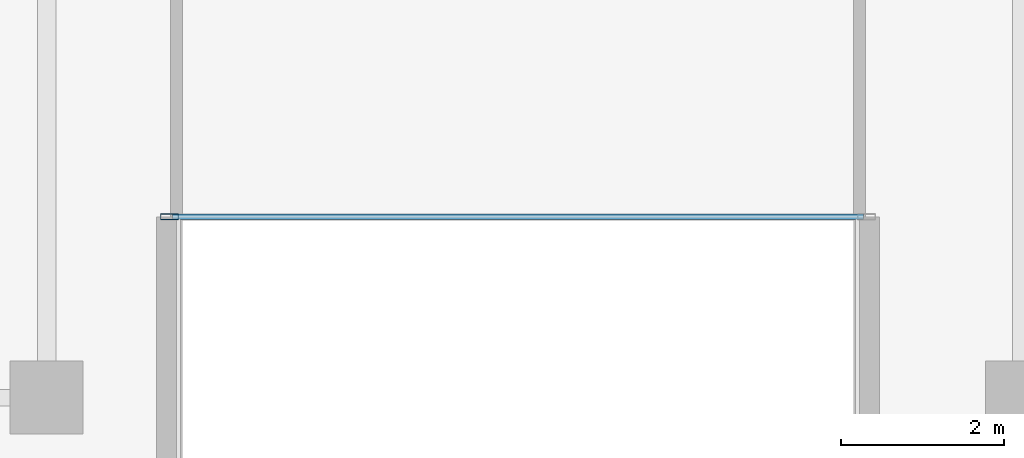
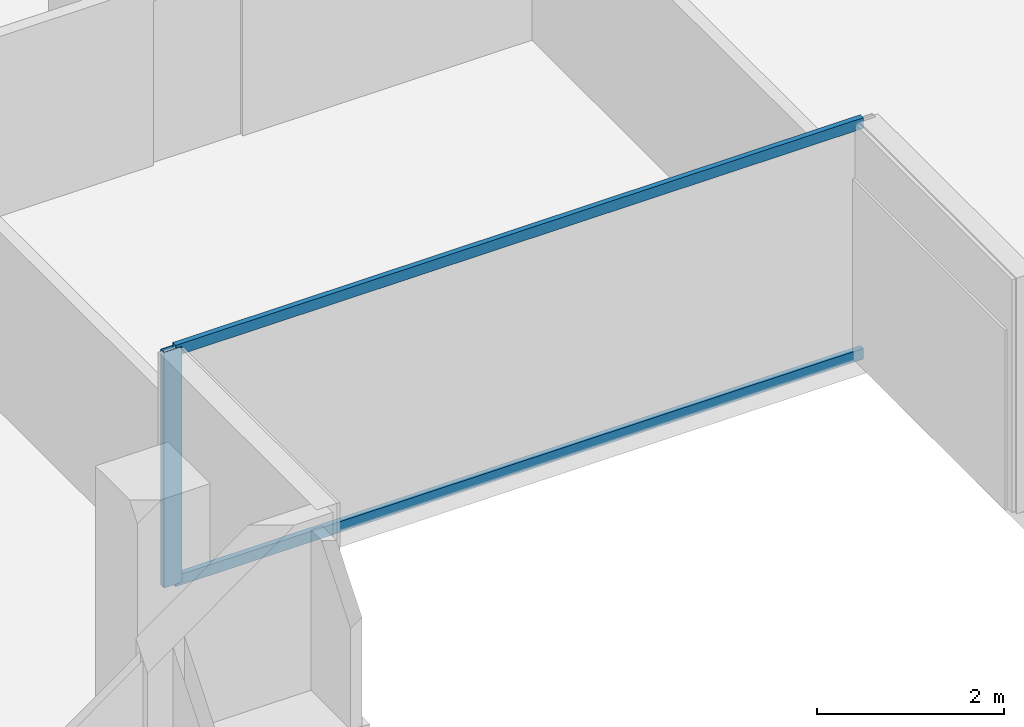
# One storey, part 2 of 20: 3 members, 1 element without a shape of its own.
"""IFC4 building model written with IfcOpenShell, lengths in metres."""

from ifc_helpers import new_model, si_unit, direction, frame, origin, origin_2d, place, context, subcontext, project, spatial, hollow_rectangle, extrude, material, layer, layer_set, material_profile, profile_set, type_object, element, aggregate, save


model = new_model("IFC4")

# Units and contexts
model_context = context("Model", 3, precision=1e-05, world=origin(), true_north=direction((0.0, 1.0)))
body_context = subcontext(model_context, "Body", "Model", "MODEL_VIEW")
ifc_project = project(units=[si_unit("LENGTHUNIT", "METRE"), si_unit("AREAUNIT", "SQUARE_METRE"), si_unit("VOLUMEUNIT", "CUBIC_METRE"), si_unit("PLANEANGLEUNIT", "RADIAN"), si_unit("MASSUNIT", "GRAM", prefix="KILO")], contexts=[model_context])

# Site, building, storey
site_placement = place(None, origin())
site = spatial("IfcSite", under=ifc_project, at=site_placement, CompositionType="ELEMENT")
building_placement = place(site_placement, origin())
building = spatial("IfcBuilding", under=site, at=building_placement, Name="Tanjung Sevakor Pilgrim Tower", CompositionType="ELEMENT")
storey_placement = place(building_placement, frame((0.0, 0.0, 141.89990234375)))
storey = spatial("IfcBuildingStorey", under=building, at=storey_placement, Name="L39", CompositionType="ELEMENT", Elevation=141.89990234375)

# Curtain wall, members
ifc_material_1 = material(Name="Aluminium 6063-T6 and Low-E Glass", Category="aluminium")
ifc_layer = layer(ifc_material_1, 0.179931640625)
ifc_layer_set = layer_set([ifc_layer], Name="CW-SYS-CLEFT")
curtain_wall_type = type_object("IfcCurtainWallType", Name="CW-SYS-CLEFT", PredefinedType="NOTDEFINED", material=ifc_layer_set)
curtain_wall_placement = place(storey_placement, origin())
curtain_wall = element("IfcCurtainWall", 1, at=curtain_wall_placement, inside=storey, type_object=curtain_wall_type, Name="L39 Curtain Wall CW-CLF-L39-2", PredefinedType="NOTDEFINED")
ifc_material_2 = material(Name="Aluminium 6063-T6", Category="aluminium")
ifc_material_profile_1 = material_profile(ifc_material_2, hollow_rectangle(XDim=0.074951171875, YDim=0.219970703125, WallThickness=0.0048828125, at=origin_2d()))
ifc_profile_set_1 = profile_set([ifc_material_profile_1], Name="Aluminium 6063-T6")
member_type_1 = type_object("IfcMemberType", Name="TYPE-CWM-2", PredefinedType="MULLION", material=ifc_profile_set_1)
member_1_placement = place(storey_placement, frame((43.512451171875, 15.425048828125, 0.0), z_axis=(0.0, 0.0, 1.0), x_axis=(0.0, 1.0, 0.0)))
member_1 = element("IfcMember", 2, at=member_1_placement, type_object=member_type_1, Name="CW-CLF mullion 1", PredefinedType="MULLION", context=body_context, shape_type="SweptSolid", body=[
    extrude(hollow_rectangle(XDim=0.074951171875, YDim=0.219970703125, WallThickness=0.0048828125, at=origin_2d()), origin(), (0.0, 0.0, 1.0), 3.080078125),
])
ifc_material_3 = material(Name="Aluminium 6063-T6", Category="aluminium")
ifc_material_profile_2 = material_profile(ifc_material_3, hollow_rectangle(XDim=0.06494140625, YDim=0.139892578125, WallThickness=0.00390625, at=origin_2d()))
ifc_profile_set_2 = profile_set([ifc_material_profile_2], Name="Aluminium 6063-T6")
member_type_2 = type_object("IfcMemberType", Name="TYPE-CWT-1", PredefinedType="USERDEFINED", material=ifc_profile_set_2)
member_2_placement = place(storey_placement, frame((43.550048828125, 15.425048828125, 0.03271484375), z_axis=(1.0, 0.0, 0.0), x_axis=(0.0, 1.0, 0.0)))
member_2 = element("IfcMember", 3, at=member_2_placement, type_object=member_type_2, Name="CW-CLF transom 1.1", ObjectType="TRANSOM", PredefinedType="USERDEFINED", context=body_context, shape_type="SweptSolid", body=[
    extrude(hollow_rectangle(XDim=0.06494140625, YDim=0.139892578125, WallThickness=0.00390625, at=origin_2d()), origin(), (0.0, 0.0, 1.0), 8.5),
])
member_3_placement = place(storey_placement, frame((43.550048828125, 15.425048828125, 3.047607421875), z_axis=(1.0, 0.0, 0.0), x_axis=(0.0, 1.0, 0.0)))
member_3 = element("IfcMember", 4, at=member_3_placement, type_object=member_type_2, Name="CW-CLF transom 1.2", ObjectType="TRANSOM", PredefinedType="USERDEFINED", context=body_context, shape_type="SweptSolid", body=[
    extrude(hollow_rectangle(XDim=0.06494140625, YDim=0.139892578125, WallThickness=0.00390625, at=origin_2d()), origin(), (0.0, 0.0, 1.0), 8.5),
])
aggregate(curtain_wall, [member_1, member_2, member_3])

save(model, "model.ifc")
